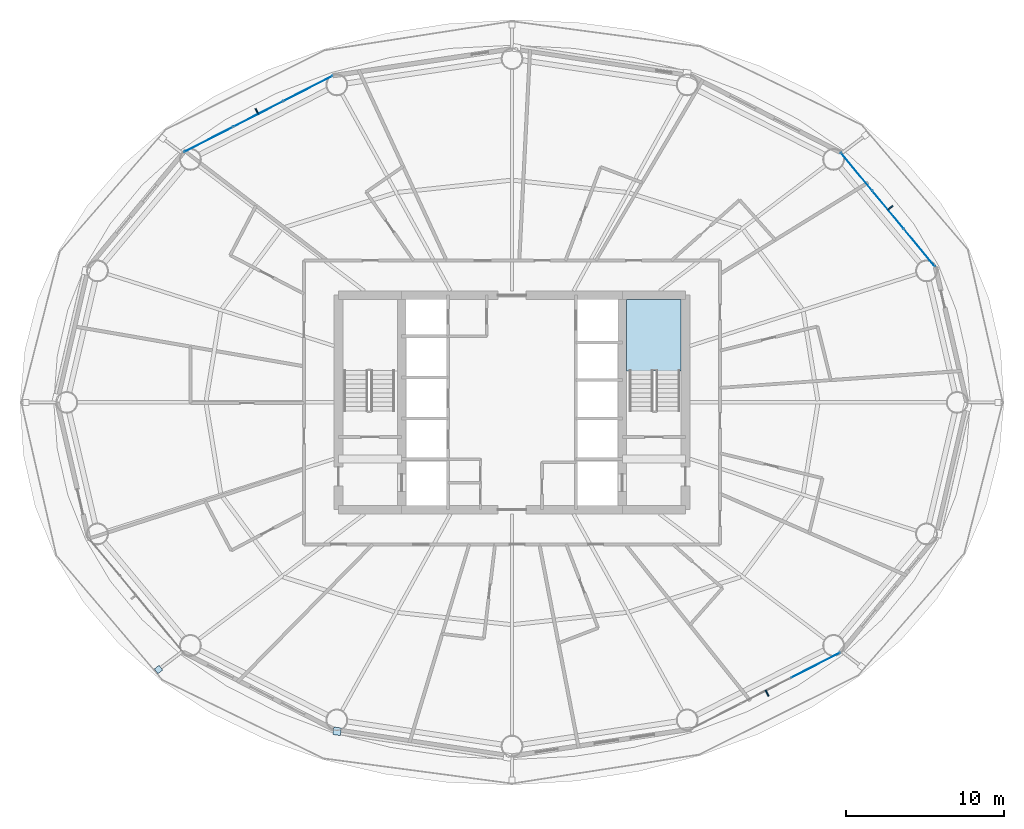
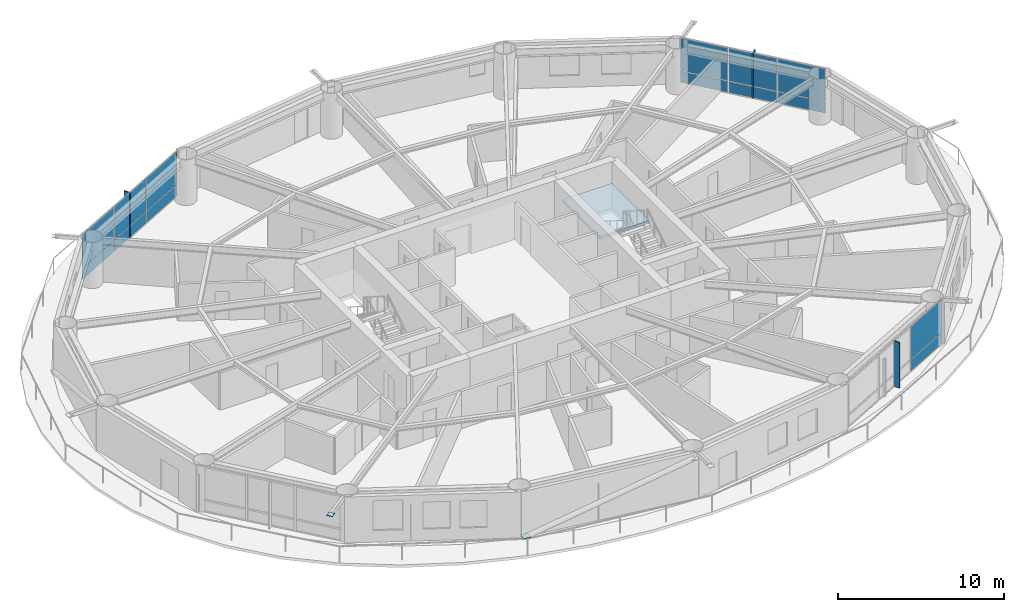
# One storey, part 16 of 24: 19 plates, 1 slab, 4 elements without a shape of their own.
"""IFC4 building model written with IfcOpenShell, lengths in metres."""

from ifc_helpers import new_model, si_unit, direction, frame, origin, origin_2d, place, context, subcontext, project, spatial, polyline, rectangle, outline, extrude, material, layer, layer_set, type_object, element, aggregate, save


model = new_model("IFC4")

# Units and contexts
model_context = context("Model", 3, precision=1e-05, world=origin(), true_north=direction((0.0, 1.0)))
body_context = subcontext(model_context, "Body", "Model", "MODEL_VIEW")
ifc_project = project(units=[si_unit("LENGTHUNIT", "METRE"), si_unit("AREAUNIT", "SQUARE_METRE"), si_unit("VOLUMEUNIT", "CUBIC_METRE"), si_unit("PLANEANGLEUNIT", "RADIAN"), si_unit("MASSUNIT", "GRAM", prefix="KILO")], contexts=[model_context])

# Site, building, storey
site_placement = place(None, origin())
site = spatial("IfcSite", under=ifc_project, at=site_placement, CompositionType="ELEMENT")
building_placement = place(site_placement, origin())
building = spatial("IfcBuilding", under=site, at=building_placement, Name="Sarneth Arch Tower", CompositionType="ELEMENT")
storey_placement = place(building_placement, frame((0.0, 0.0, 91.199951171875)))
storey = spatial("IfcBuildingStorey", under=building, at=storey_placement, Name="L22", CompositionType="ELEMENT", Elevation=91.199951171875)

# Curtain wall, plates
ifc_material_1 = material(Name="Anodised aluminium Type AA25 and solar-control low-e laminated IGU", Category="aluminium")
ifc_layer_1 = layer(ifc_material_1, 0.159912109375)
ifc_layer_set_1 = layer_set([ifc_layer_1], Name="Anodised aluminium Type AA25 and solar-control low-e laminated IGU")
curtain_wall_type = type_object("IfcCurtainWallType", Name="CW-HOTEL-MID", PredefinedType="NOTDEFINED", material=ifc_layer_set_1)
curtain_wall_1_placement = place(storey_placement, origin())
curtain_wall_1 = element("IfcCurtainWall", 1, at=curtain_wall_1_placement, inside=storey, type_object=curtain_wall_type, Name="L22 Unitised curtain wall facet 02", PredefinedType="NOTDEFINED")
ifc_material_2 = material(Name="Solar-control low-e laminated IGU", Category="glass")
ifc_layer_2 = layer(ifc_material_2, 0.028076171875)
ifc_layer_set_2 = layer_set([ifc_layer_2], Name="Solar-control low-e laminated IGU")
plate_type_1 = type_object("IfcPlateType", Name="CW-PANEL", PredefinedType="CURTAIN_PANEL", material=ifc_layer_set_2)
plate_1_placement = place(storey_placement, frame((73.84814453125, 51.807861328125, 0.06005859375), z_axis=(0.0, 0.0, 1.0), x_axis=(-0.637515188684, 0.770437787363, 0.0)))
plate_1 = element("IfcPlate", 2, at=plate_1_placement, type_object=plate_type_1, Name="Curtain wall glazed vision pane CW-L22-F02/P00-00", PredefinedType="CURTAIN_PANEL", context=body_context, shape_type="SweptSolid", body=[
    extrude(rectangle(XDim=3.058349609375, YDim=0.028076171875, at=origin_2d()), origin(), (0.0, 0.0, 1.0), 0.81005859375),
])
plate_2_placement = place(storey_placement, frame((73.84814453125, 51.807861328125, 0.93017578125), z_axis=(0.0, 0.0, 1.0), x_axis=(-0.637515188684, 0.770437787363, 0.0)))
plate_2 = element("IfcPlate", 3, at=plate_2_placement, type_object=plate_type_1, Name="Curtain wall glazed vision pane CW-L22-F02/P00-01", PredefinedType="CURTAIN_PANEL", context=body_context, shape_type="SweptSolid", body=[
    extrude(rectangle(XDim=3.058349609375, YDim=0.028076171875, at=origin_2d()), origin(), (0.0, 0.0, 1.0), 2.389892578125),
])
plate_3_placement = place(storey_placement, frame((71.8505859375, 54.221923828125, 0.06005859375), z_axis=(0.0, 0.0, 1.0), x_axis=(-0.637515188684, 0.770437787363, 0.0)))
plate_3 = element("IfcPlate", 4, at=plate_3_placement, type_object=plate_type_1, Name="Curtain wall glazed vision pane CW-L22-F02/P01-00", PredefinedType="CURTAIN_PANEL", context=body_context, shape_type="SweptSolid", body=[
    extrude(rectangle(XDim=3.08837890625, YDim=0.028076171875, at=origin_2d()), origin(), (0.0, 0.0, 1.0), 0.81005859375),
])
plate_4_placement = place(storey_placement, frame((71.8505859375, 54.221923828125, 0.93017578125), z_axis=(0.0, 0.0, 1.0), x_axis=(-0.637515188684, 0.770437787363, 0.0)))
plate_4 = element("IfcPlate", 5, at=plate_4_placement, type_object=plate_type_1, Name="Curtain wall glazed vision pane CW-L22-F02/P01-01", PredefinedType="CURTAIN_PANEL", context=body_context, shape_type="SweptSolid", body=[
    extrude(rectangle(XDim=3.08837890625, YDim=0.028076171875, at=origin_2d()), origin(), (0.0, 0.0, 1.0), 2.389892578125),
])
plate_5_placement = place(storey_placement, frame((69.85302734375, 56.635986328125, 0.06005859375), z_axis=(0.0, 0.0, 1.0), x_axis=(-0.637515188684, 0.770437787363, 0.0)))
plate_5 = element("IfcPlate", 6, at=plate_5_placement, type_object=plate_type_1, Name="Curtain wall glazed vision pane CW-L22-F02/P02-00", PredefinedType="CURTAIN_PANEL", context=body_context, shape_type="SweptSolid", body=[
    extrude(rectangle(XDim=3.058349609375, YDim=0.028076171875, at=origin_2d()), origin(), (0.0, 0.0, 1.0), 0.81005859375),
])
plate_6_placement = place(storey_placement, frame((69.85302734375, 56.635986328125, 0.93017578125), z_axis=(0.0, 0.0, 1.0), x_axis=(-0.637515188684, 0.770437787363, 0.0)))
plate_6 = element("IfcPlate", 7, at=plate_6_placement, type_object=plate_type_1, Name="Curtain wall glazed vision pane CW-L22-F02/P02-01", PredefinedType="CURTAIN_PANEL", context=body_context, shape_type="SweptSolid", body=[
    extrude(rectangle(XDim=3.058349609375, YDim=0.028076171875, at=origin_2d()), origin(), (0.0, 0.0, 1.0), 2.389892578125),
])
aggregate(curtain_wall_1, [plate_1, plate_2, plate_3, plate_4, plate_5, plate_6])

curtain_wall_2_placement = place(storey_placement, origin())
curtain_wall_2 = element("IfcCurtainWall", 8, at=curtain_wall_2_placement, inside=storey, type_object=curtain_wall_type, Name="L22 Unitised curtain wall facet 06", PredefinedType="NOTDEFINED")
plate_7_placement = place(storey_placement, frame((35.053955078125, 61.905517578125, 0.06005859375), z_axis=(0.0, 0.0, 1.0), x_axis=(-0.889963703649, -0.456031365356, 0.0)))
plate_7 = element("IfcPlate", 9, at=plate_7_placement, type_object=plate_type_1, Name="Curtain wall glazed vision pane CW-L22-F06/P00-00", PredefinedType="CURTAIN_PANEL", context=body_context, shape_type="SweptSolid", body=[
    extrude(rectangle(XDim=3.464111328125, YDim=0.028076171875, at=origin_2d()), origin(), (0.0, 0.0, 1.0), 0.81005859375),
])
plate_8_placement = place(storey_placement, frame((35.053955078125, 61.905517578125, 0.93017578125), z_axis=(0.0, 0.0, 1.0), x_axis=(-0.889963703649, -0.456031365356, 0.0)))
plate_8 = element("IfcPlate", 10, at=plate_8_placement, type_object=plate_type_1, Name="Curtain wall glazed vision pane CW-L22-F06/P00-01", PredefinedType="CURTAIN_PANEL", context=body_context, shape_type="SweptSolid", body=[
    extrude(rectangle(XDim=3.464111328125, YDim=0.028076171875, at=origin_2d()), origin(), (0.0, 0.0, 1.0), 2.389892578125),
])
plate_9_placement = place(storey_placement, frame((31.904296875, 60.29150390625, 0.06005859375), z_axis=(0.0, 0.0, 1.0), x_axis=(-0.889963703649, -0.456031365356, 0.0)))
plate_9 = element("IfcPlate", 11, at=plate_9_placement, type_object=plate_type_1, Name="Curtain wall glazed vision pane CW-L22-F06/P01-00", PredefinedType="CURTAIN_PANEL", context=body_context, shape_type="SweptSolid", body=[
    extrude(rectangle(XDim=3.493896484375, YDim=0.028076171875, at=origin_2d()), origin(), (0.0, 0.0, 1.0), 0.81005859375),
])
plate_10_placement = place(storey_placement, frame((31.904296875, 60.29150390625, 0.93017578125), z_axis=(0.0, 0.0, 1.0), x_axis=(-0.889963703649, -0.456031365356, 0.0)))
plate_10 = element("IfcPlate", 12, at=plate_10_placement, type_object=plate_type_1, Name="Curtain wall glazed vision pane CW-L22-F06/P01-01", PredefinedType="CURTAIN_PANEL", context=body_context, shape_type="SweptSolid", body=[
    extrude(rectangle(XDim=3.493896484375, YDim=0.028076171875, at=origin_2d()), origin(), (0.0, 0.0, 1.0), 2.389892578125),
])
plate_11_placement = place(storey_placement, frame((28.7548828125, 58.677734375, 0.06005859375), z_axis=(0.0, 0.0, 1.0), x_axis=(-0.889963703649, -0.456031365356, 0.0)))
plate_11 = element("IfcPlate", 13, at=plate_11_placement, type_object=plate_type_1, Name="Curtain wall glazed vision pane CW-L22-F06/P02-00", PredefinedType="CURTAIN_PANEL", context=body_context, shape_type="SweptSolid", body=[
    extrude(rectangle(XDim=3.464111328125, YDim=0.028076171875, at=origin_2d()), origin(), (0.0, 0.0, 1.0), 0.81005859375),
])
plate_12_placement = place(storey_placement, frame((28.7548828125, 58.677734375, 0.93017578125), z_axis=(0.0, 0.0, 1.0), x_axis=(-0.889963703649, -0.456031365356, 0.0)))
plate_12 = element("IfcPlate", 14, at=plate_12_placement, type_object=plate_type_1, Name="Curtain wall glazed vision pane CW-L22-F06/P02-01", PredefinedType="CURTAIN_PANEL", context=body_context, shape_type="SweptSolid", body=[
    extrude(rectangle(XDim=3.464111328125, YDim=0.028076171875, at=origin_2d()), origin(), (0.0, 0.0, 1.0), 2.389892578125),
])
aggregate(curtain_wall_2, [plate_7, plate_8, plate_9, plate_10, plate_11, plate_12])

curtain_wall_3_placement = place(storey_placement, origin())
curtain_wall_3 = element("IfcCurtainWall", 15, at=curtain_wall_3_placement, inside=storey, type_object=curtain_wall_type, Name="L22 Unitised curtain wall facet 14", PredefinedType="NOTDEFINED")
plate_13_placement = place(storey_placement, frame((67.2451171875, 25.322265625, 0.06005859375), z_axis=(0.0, 0.0, 1.0), x_axis=(0.889963703649, 0.456031365356, 0.0)))
plate_13 = element("IfcPlate", 16, at=plate_13_placement, type_object=plate_type_1, Name="Curtain wall glazed vision pane CW-L22-F14/P02-00", PredefinedType="CURTAIN_PANEL", context=body_context, shape_type="SweptSolid", body=[
    extrude(rectangle(XDim=3.464111328125, YDim=0.028076171875, at=origin_2d()), origin(), (0.0, 0.0, 1.0), 0.81005859375),
])
plate_14_placement = place(storey_placement, frame((67.2451171875, 25.322265625, 0.93017578125), z_axis=(0.0, 0.0, 1.0), x_axis=(0.889963703649, 0.456031365356, 0.0)))
plate_14 = element("IfcPlate", 17, at=plate_14_placement, type_object=plate_type_1, Name="Curtain wall glazed vision pane CW-L22-F14/P02-01", PredefinedType="CURTAIN_PANEL", context=body_context, shape_type="SweptSolid", body=[
    extrude(rectangle(XDim=3.464111328125, YDim=0.028076171875, at=origin_2d()), origin(), (0.0, 0.0, 1.0), 2.389892578125),
])
aggregate(curtain_wall_3, [plate_13, plate_14])

# Plates
ifc_material_3 = material(Name="Steel S355", Category="steel")
ifc_layer_3 = layer(ifc_material_3, 0.035888671875)
ifc_layer_set_3 = layer_set([ifc_layer_3], Name="Steel S355")
plate_type_2 = type_object("IfcPlateType", Name="PLT-GUSSET-30", PredefinedType="SHEET", material=ifc_layer_set_3)
plate_15_placement = place(storey_placement, frame((25.57861328125, 25.0556640625, 3.2021484375), z_axis=(0.0, 0.0, 1.0), x_axis=(-0.797794439539, -0.602929541689, 0.0)))
element("IfcPlate", 18, at=plate_15_placement, inside=storey, type_object=plate_type_2, Name="Steel end cap plate GP-1", PredefinedType="SHEET", context=body_context, shape_type="SweptSolid", body=[
    extrude(rectangle(XDim=0.3798828125, YDim=0.3798828125, at=origin_2d()), origin(), (0.0, 0.0, 1.0), 0.035888671875),
])
plate_16_placement = place(storey_placement, frame((36.9072265625, 21.140380859375, 0.001953125), z_axis=(0.0, 0.0, 1.0), x_axis=(0.988860535448, -0.148845024885, 0.0)))
element("IfcPlate", 19, at=plate_16_placement, inside=storey, type_object=plate_type_2, Name="Steel end cap plate GP-1", PredefinedType="SHEET", context=body_context, shape_type="SweptSolid", body=[
    extrude(rectangle(XDim=0.486083984375, YDim=0.486083984375, at=origin_2d()), origin(), (0.0, 0.0, 1.0), 0.035888671875),
])
ifc_material_4 = material(Name="Extruded glazed terracotta baguette fin on Aluminium 6063-T6 carrier", Category="masonry")
ifc_layer_4 = layer(ifc_material_4, 0.080078125)
ifc_layer_set_4 = layer_set([ifc_layer_4], Name="Extruded glazed terracotta baguette fin on Aluminium 6063-T6 carrier")
plate_type_3 = type_object("IfcPlateType", Name="SHADE-TERRA-FIN", PredefinedType="SHEET", material=ifc_layer_set_4)
for number, where, z_axis, x_axis, name in (
    (20, (71.981689453125, 54.330322265625, 0.009765625), (0.0, 0.0, 1.0), (0.770401979567, 0.63755845997, 0.0), "L22 Terracotta vertical shading fin 02"),
    (21, (31.826904296875, 60.44287109375, 0.009765625), (0.0, 0.0, 1.0), (-0.456010959102, 0.889974159838, 0.0), "L22 Terracotta vertical shading fin 06"),
    (22, (64.173095703125, 23.55712890625, 0.009765625), (0.0, 0.0, 1.0), (0.456010959102, -0.889974159838, 0.0), "L22 Terracotta vertical shading fin 14"),
):
    element("IfcPlate", number, at=place(storey_placement, frame(where, z_axis=z_axis, x_axis=x_axis)), inside=storey, type_object=plate_type_3, Name=name, PredefinedType="SHEET", context=body_context, shape_type="SweptSolid", body=[
        extrude(rectangle(XDim=0.419921875, YDim=0.080078125, at=origin_2d()), origin(), (0.0, 0.0, 1.0), 3.360107421875),
    ])

# Stair, slab
ifc_material_5 = material(Name="Concrete C50/60", Category="concrete")
stair_type = type_object("IfcStairType", Name="STAIR-CORE-RC", PredefinedType="HALF_TURN_STAIR", material=ifc_material_5)
stair_placement = place(storey_placement, origin())
stair = element("IfcStair", 23, at=stair_placement, inside=storey, type_object=stair_type, Name="L22 Core Exit Stair 2", PredefinedType="HALF_TURN_STAIR")
ifc_material_6 = material(Name="Concrete C50/60", Category="concrete")
ifc_layer_5 = layer(ifc_material_6, 0.199951171875)
ifc_layer_set_5 = layer_set([ifc_layer_5], Name="Concrete C50/60")
slab_type = type_object("IfcSlabType", Name="SLAB-LANDING-200", PredefinedType="LANDING", material=ifc_layer_set_5)
slab_placement = place(storey_placement, frame((0.0, 0.0, 1.60009765625)))
slab = element("IfcSlab", 24, at=slab_placement, type_object=slab_type, Name="ST-2 landing 1", PredefinedType="LANDING", context=body_context, shape_type="SweptSolid", body=[
    extrude(outline(polyline([(55.27490234375, 43.985107421875), (58.72509765625, 43.985107421875), (58.72509765625, 48.52490234375), (55.27490234375, 48.52490234375), (55.27490234375, 43.985107421875)])), origin(), (0.0, 0.0, 1.0), 0.199951171875),
])
aggregate(stair, [slab])

save(model, "model.ifc")
